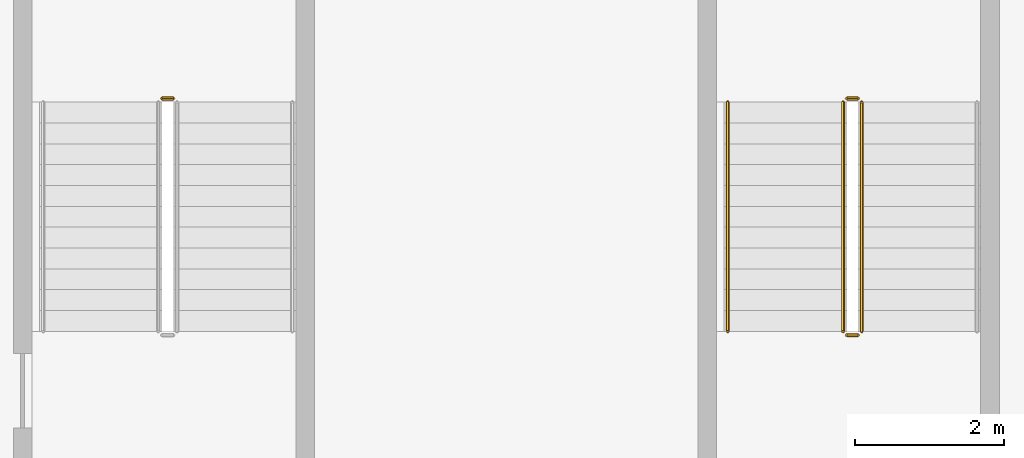
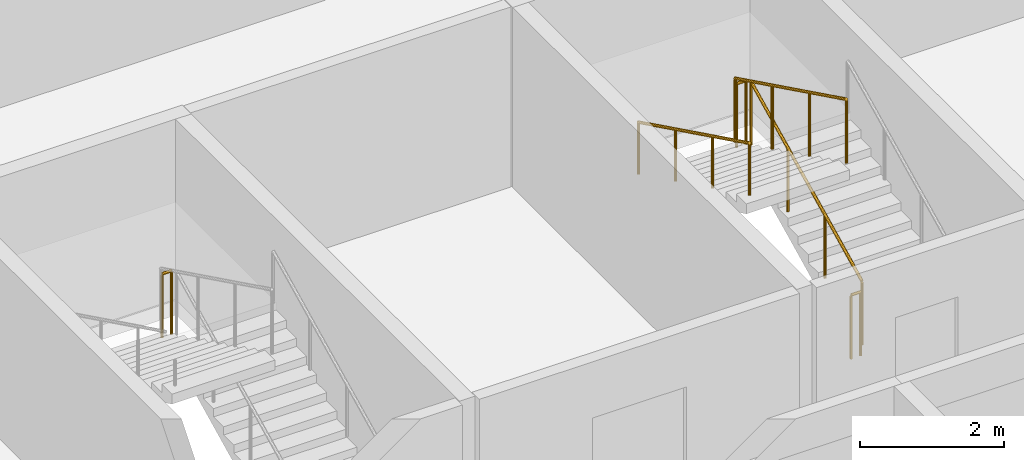
# One storey, part 9 of 18: 6 railings.
"""IFC4 building model written with IfcOpenShell, lengths in metres."""

from ifc_helpers import new_model, si_unit, direction, frame, origin, origin_2d, place, context, subcontext, project, spatial, circle, extrude, material, type_object, element, save


model = new_model("IFC4")

# Units and contexts
model_context = context("Model", 3, precision=1e-05, world=origin(), true_north=direction((0.0, 1.0)))
body_context = subcontext(model_context, "Body", "Model", "MODEL_VIEW")
ifc_project = project(units=[si_unit("LENGTHUNIT", "METRE"), si_unit("AREAUNIT", "SQUARE_METRE"), si_unit("VOLUMEUNIT", "CUBIC_METRE"), si_unit("PLANEANGLEUNIT", "RADIAN"), si_unit("MASSUNIT", "GRAM", prefix="KILO")], contexts=[model_context])

# Site, building, storey
site_placement = place(None, origin())
site = spatial("IfcSite", under=ifc_project, at=site_placement, CompositionType="ELEMENT")
building_placement = place(site_placement, origin())
building = spatial("IfcBuilding", under=site, at=building_placement, Name="Poui Terraces", CompositionType="ELEMENT")
storey_placement = place(building_placement, frame((0.0, 0.0, 275.699951171875)))
storey = spatial("IfcBuildingStorey", under=building, at=storey_placement, Name="L76 CROWN", CompositionType="ELEMENT", Elevation=275.699951171875)

# Railings
ifc_material_1 = material(Name="Galvanised steel balustrade", Category="steel")
railing_type_1 = type_object("IfcRailingType", Name="STAIR GUARD 1100", PredefinedType="GUARDRAIL", material=ifc_material_1)
railing_1_placement = place(storey_placement, frame((32.074951171875, 16.60009765625, 0.137451171875)))
element("IfcRailing", 1, at=railing_1_placement, inside=storey, type_object=railing_type_1, Name="L76 CROWN ST-CW stair guard 1", PredefinedType="GUARDRAIL", context=body_context, shape_type="SweptSolid", body=[
    extrude(circle(Radius=0.02392578125, at=origin_2d()), frame((0.0, 0.0, 1.076171875), z_axis=(0.0, 0.897578036475, 0.440855609512), x_axis=(-1.0, 0.0, 0.0)), (0.0, 0.0, 1.0), 3.43115234375),
    extrude(circle(Radius=0.02099609375, at=origin_2d()), origin(), (0.0, 0.0, 1.0), 1.052001953125),
    extrude(circle(Radius=0.02099609375, at=origin_2d()), frame((0.0, 1.026611328125, 0.504150390625)), (0.0, 0.0, 1.0), 1.052001953125),
    extrude(circle(Radius=0.02099609375, at=origin_2d()), frame((0.0, 2.05322265625, 1.008544921875)), (0.0, 0.0, 1.0), 1.052001953125),
    extrude(circle(Radius=0.02099609375, at=origin_2d()), frame((0.0, 3.079833984375, 1.5126953125)), (0.0, 0.0, 1.0), 1.052001953125),
])
railing_2_placement = place(storey_placement, frame((32.02490234375, 19.72998046875, 1.650146484375)))
element("IfcRailing", 2, at=railing_2_placement, inside=storey, type_object=railing_type_1, Name="L76 CROWN ST-CW stair guard 2", PredefinedType="GUARDRAIL", context=body_context, shape_type="SweptSolid", body=[
    extrude(circle(Radius=0.02392578125, at=origin_2d()), frame((0.0, 0.0, 1.076171875), z_axis=(-1.0, 0.0, 0.0), x_axis=(0.0, -1.0, 0.0)), (0.0, 0.0, 1.0), 0.14990234375),
    extrude(circle(Radius=0.02099609375, at=origin_2d()), origin(), (0.0, 0.0, 1.0), 1.052001953125),
    extrude(circle(Radius=0.02099609375, at=origin_2d()), frame((-0.14990234375, 0.0, 0.0)), (0.0, 0.0, 1.0), 1.052001953125),
])
railing_3_placement = place(storey_placement, frame((31.824951171875, 19.679931640625, 1.78759765625)))
element("IfcRailing", 3, at=railing_3_placement, inside=storey, type_object=railing_type_1, Name="L76 CROWN ST-CW stair guard 3", PredefinedType="GUARDRAIL", context=body_context, shape_type="SweptSolid", body=[
    extrude(circle(Radius=0.02392578125, at=origin_2d()), frame((0.0, 0.0, 1.076171875), z_axis=(0.0, -0.897606190399, 0.440798283751), x_axis=(1.0, 0.0, 0.0)), (0.0, 0.0, 1.0), 3.43115234375),
    extrude(circle(Radius=0.02099609375, at=origin_2d()), origin(), (0.0, 0.0, 1.0), 1.052001953125),
    extrude(circle(Radius=0.02099609375, at=origin_2d()), frame((0.0, -1.026611328125, 0.504150390625)), (0.0, 0.0, 1.0), 1.052001953125),
    extrude(circle(Radius=0.02099609375, at=origin_2d()), frame((0.0, -2.05322265625, 1.00830078125)), (0.0, 0.0, 1.0), 1.052001953125),
    extrude(circle(Radius=0.02099609375, at=origin_2d()), frame((0.0, -3.079833984375, 1.512451171875)), (0.0, 0.0, 1.0), 1.052001953125),
])
for number, where, name in (
    (4, (32.02490234375, 16.550048828125, 0.0), "L76 CROWN ST-CW stair guard 4"),
    (5, (22.824951171875, 19.72998046875, 1.650146484375), "L76 CROWN ST-W stair guard 2"),
):
    element("IfcRailing", number, at=place(storey_placement, frame(where)), inside=storey, type_object=railing_type_1, Name=name, PredefinedType="GUARDRAIL", context=body_context, shape_type="SweptSolid", body=[
        extrude(circle(Radius=0.02392578125, at=origin_2d()), frame((0.0, 0.0, 1.076171875), z_axis=(-1.0, 0.0, 0.0), x_axis=(0.0, -1.0, 0.0)), (0.0, 0.0, 1.0), 0.14990234375),
        extrude(circle(Radius=0.02099609375, at=origin_2d()), origin(), (0.0, 0.0, 1.0), 1.052001953125),
        extrude(circle(Radius=0.02099609375, at=origin_2d()), frame((-0.14990234375, 0.0, 0.0)), (0.0, 0.0, 1.0), 1.052001953125),
    ])
ifc_material_2 = material(Name="Stainless steel handrail", Category="steel")
railing_type_2 = type_object("IfcRailingType", Name="STAIR HANDRAIL 900", PredefinedType="HANDRAIL", material=ifc_material_2)
railing_4_placement = place(storey_placement, frame((30.27490234375, 19.679931640625, 1.78759765625)))
element("IfcRailing", 6, at=railing_4_placement, inside=storey, type_object=railing_type_2, Name="L76 CROWN ST-CW stair handrail 2", PredefinedType="HANDRAIL", context=body_context, shape_type="SweptSolid", body=[
    extrude(circle(Radius=0.02392578125, at=origin_2d()), frame((0.0, 0.0, 0.8759765625), z_axis=(0.0, -0.897606190399, 0.440798283751), x_axis=(1.0, 0.0, 0.0)), (0.0, 0.0, 1.0), 3.43115234375),
    extrude(circle(Radius=0.02099609375, at=origin_2d()), origin(), (0.0, 0.0, 1.0), 0.851806640625),
    extrude(circle(Radius=0.02099609375, at=origin_2d()), frame((0.0, -1.026611328125, 0.504150390625)), (0.0, 0.0, 1.0), 0.851806640625),
    extrude(circle(Radius=0.02099609375, at=origin_2d()), frame((0.0, -2.05322265625, 1.00830078125)), (0.0, 0.0, 1.0), 0.851806640625),
    extrude(circle(Radius=0.02099609375, at=origin_2d()), frame((0.0, -3.079833984375, 1.512451171875)), (0.0, 0.0, 1.0), 0.851806640625),
])

save(model, "model.ifc")
